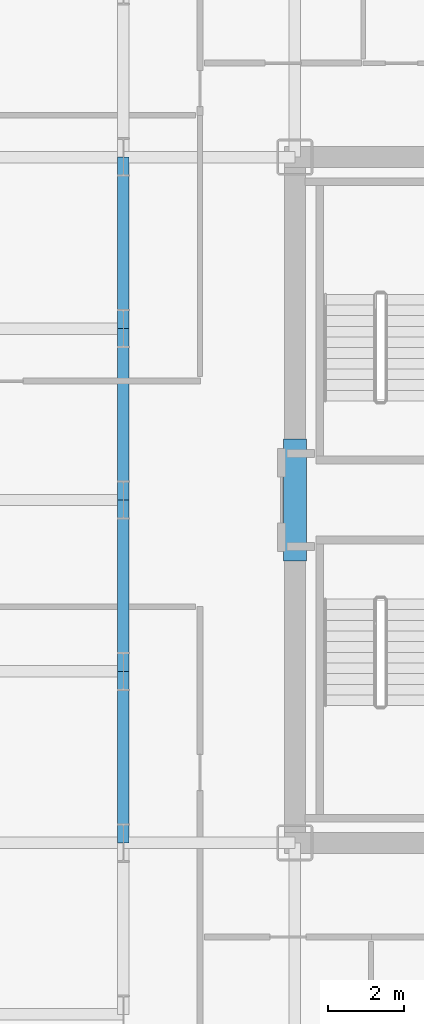
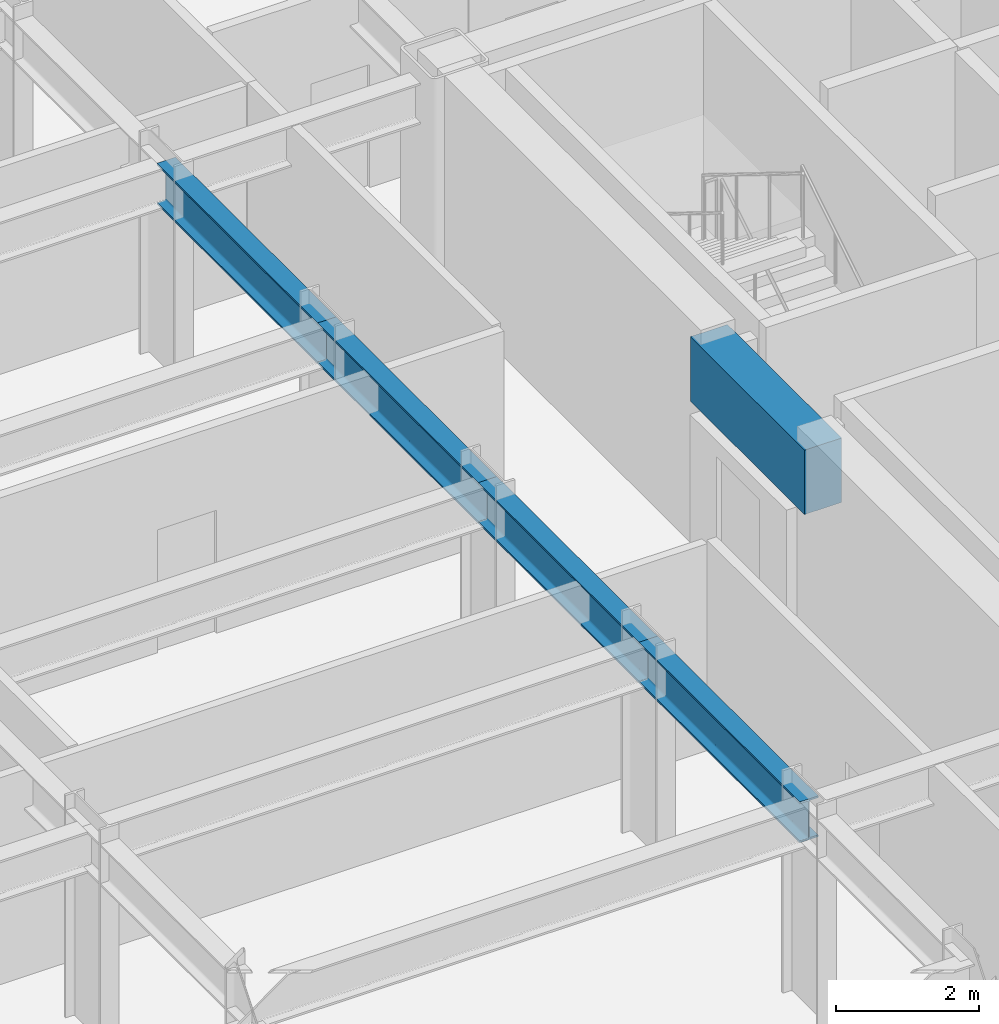
# One storey, part 7 of 28: 5 beams.
"""IFC4 building model written with IfcOpenShell, lengths in metres."""

from ifc_helpers import new_model, si_unit, direction, frame, origin, origin_2d, place, context, subcontext, project, spatial, rectangle, i_section, extrude, source, transform, mapped, material, material_profile, profile_set, type_object, element, save


model = new_model("IFC4")

# Units and contexts
model_context = context("Model", 3, precision=1e-05, world=origin(), true_north=direction((0.0, 1.0)))
body_context = subcontext(model_context, "Body", "Model", "MODEL_VIEW")
ifc_project = project(units=[si_unit("LENGTHUNIT", "METRE"), si_unit("AREAUNIT", "SQUARE_METRE"), si_unit("VOLUMEUNIT", "CUBIC_METRE"), si_unit("PLANEANGLEUNIT", "RADIAN"), si_unit("MASSUNIT", "GRAM", prefix="KILO")], contexts=[model_context])

# Site, building, storey
site_placement = place(None, origin())
site = spatial("IfcSite", under=ifc_project, at=site_placement, CompositionType="ELEMENT")
building_placement = place(site_placement, origin())
building = spatial("IfcBuilding", under=site, at=building_placement, Name="Nefas-Gora Pilgrimage Tower", CompositionType="ELEMENT")
storey_placement = place(building_placement, frame((0.0, 0.0, 102.199951171875)))
storey = spatial("IfcBuildingStorey", under=building, at=storey_placement, Name="L24", CompositionType="ELEMENT", Elevation=102.199951171875)

# Beams
ifc_material_1 = material(Name="Concrete C60/75", Category="concrete")
ifc_material_profile_1 = material_profile(ifc_material_1, rectangle(XDim=0.60009765625, YDim=1.10009765625, at=origin_2d()), Name="RC 600x1100")
ifc_profile_set_1 = profile_set([ifc_material_profile_1], Name="Concrete C60/75")
beam_type_1 = type_object("IfcBeamType", Name="BM-LIN-RC1100", PredefinedType="LINTEL", material=ifc_profile_set_1)
shared_shape_1 = source(origin(), body_context, "Body", "SweptSolid", [
    extrude(rectangle(XDim=0.60009765625, YDim=1.10009765625, at=origin_2d()), origin(), (0.0, 0.0, 1.0), 3.2001953125),
])
beam_placement = place(storey_placement, frame((-11.25, -1.60009765625, 3.0), z_axis=(0.0, 1.0, 0.0), x_axis=(-1.0, 0.0, 0.0)))
element("IfcBeam", 1, at=beam_placement, inside=storey, type_object=beam_type_1, Name="L24 Core Coupling Lintel Beam W", PredefinedType="LINTEL", context=body_context, shape_type="MappedRepresentation", body=[
    mapped(shared_shape_1, transform((0.0, 0.0, 0.0), x_axis=(1.0, 0.0, 0.0), y_axis=(0.0, 1.0, 0.0), z_axis=(0.0, 0.0, 1.0), scale=1.0)),
])
ifc_material_2 = material(Name="Steel S355", Category="steel")
ifc_material_profile_2 = material_profile(ifc_material_2, i_section(OverallWidth=0.300048828125, OverallDepth=0.699951171875, WebThickness=0.01708984375, FlangeThickness=0.031982421875, FilletRadius=0.027099609375, at=origin_2d()), Name="HEB 700")
ifc_profile_set_2 = profile_set([ifc_material_profile_2], Name="Steel S355")
beam_type_2 = type_object("IfcBeamType", Name="BM-GIR-HEB700", PredefinedType="BEAM", material=ifc_profile_set_2)
shared_shape_2 = source(origin(), body_context, "Body", "SweptSolid", [
    extrude(i_section(OverallWidth=0.300048828125, OverallDepth=0.699951171875, WebThickness=0.01708984375, FlangeThickness=0.031982421875, FilletRadius=0.027099609375, at=origin_2d()), origin(), (0.0, 0.0, 1.0), 4.5),
])
for number, where, z_axis, x_axis, name in (
    (2, (-15.75, -9.0, 3.199951171875), (0.0, 1.0, 0.0), (-1.0, 0.0, 0.0), "L24 G-02 beam"),
    (3, (-15.75, -4.5, 3.199951171875), (0.0, 1.0, 0.0), (-1.0, 0.0, 0.0), "L24 G-02 beam"),
    (4, (-15.75, 0.0, 3.199951171875), (0.0, 1.0, 0.0), (-1.0, 0.0, 0.0), "L24 G-02 beam"),
    (5, (-15.75, 4.5, 3.199951171875), (0.0, 1.0, 0.0), (-1.0, 0.0, 0.0), "L24 G-02 beam"),
):
    element("IfcBeam", number, at=place(storey_placement, frame(where, z_axis=z_axis, x_axis=x_axis)), inside=storey, type_object=beam_type_2, Name=name, PredefinedType="BEAM", context=body_context, shape_type="MappedRepresentation", body=[
        mapped(shared_shape_2, transform((0.0, 0.0, 0.0), x_axis=(1.0, 0.0, 0.0), y_axis=(0.0, 1.0, 0.0), z_axis=(0.0, 0.0, 1.0), scale=1.0)),
    ])

save(model, "model.ifc")
